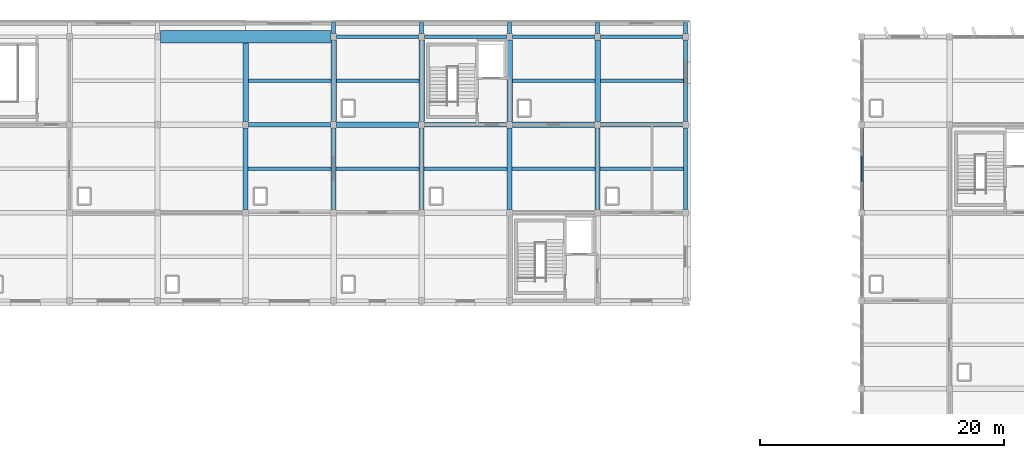
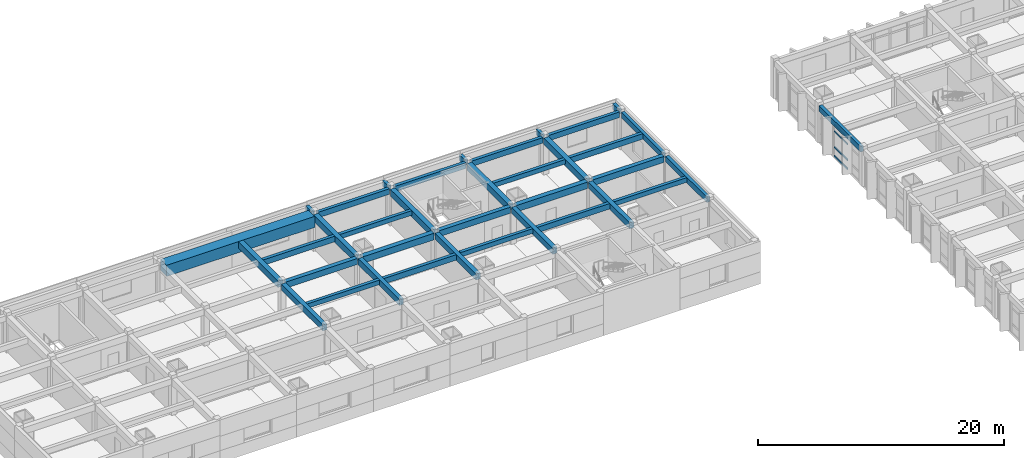
# One storey, part 16 of 40: 37 beams, 4 members, 1 element without a shape of its own.
"""IFC4 building model written with IfcOpenShell, lengths in metres."""

from ifc_helpers import new_model, si_unit, direction, frame, origin, origin_2d, place, context, subcontext, project, spatial, rectangle, extrude, material, layer, layer_set, material_profile, profile_set, type_object, element, aggregate, save


model = new_model("IFC4")

# Units and contexts
model_context = context("Model", 3, precision=1e-05, world=origin(), true_north=direction((0.0, 1.0)))
body_context = subcontext(model_context, "Body", "Model", "MODEL_VIEW")
ifc_project = project(units=[si_unit("LENGTHUNIT", "METRE"), si_unit("AREAUNIT", "SQUARE_METRE"), si_unit("VOLUMEUNIT", "CUBIC_METRE"), si_unit("PLANEANGLEUNIT", "RADIAN"), si_unit("MASSUNIT", "GRAM", prefix="KILO")], contexts=[model_context])

# Site, building, storey
site_placement = place(None, origin())
site = spatial("IfcSite", under=ifc_project, at=site_placement, CompositionType="ELEMENT")
building_placement = place(site_placement, origin())
building = spatial("IfcBuilding", under=site, at=building_placement, Name="Kavelor Marine Aquarium", CompositionType="ELEMENT")
storey_placement = place(building_placement, frame((0.0, 0.0, 17.639892578125)))
storey = spatial("IfcBuildingStorey", under=building, at=storey_placement, Name="L04", CompositionType="ELEMENT", Elevation=17.639892578125)

# Beams
ifc_material_1 = material(Name="Concrete C40/50", Category="concrete")
ifc_material_profile_1 = material_profile(ifc_material_1, rectangle(XDim=0.449951171875, YDim=0.64990234375, at=origin_2d()), Name="RC-BM 450x650")
ifc_profile_set_1 = profile_set([ifc_material_profile_1], Name="Concrete C40/50")
beam_type_1 = type_object("IfcBeamType", Name="BM-B3", PredefinedType="BEAM", material=ifc_profile_set_1)
for number, where, z_axis, x_axis, name in (
    (1, (75.449951171875, 103.60009765625, 3.315185546875), (1.0, 0.0, 0.0), (0.0, 1.0, 0.0), "bm:x:L04:L05:10_14"),
    (2, (89.85009765625, 103.60009765625, 3.355224609375), (1.0, 0.0, 0.0), (0.0, 1.0, 0.0), "bm:x:L04:L05:12_14"),
):
    element("IfcBeam", number, at=place(storey_placement, frame(where, z_axis=z_axis, x_axis=x_axis)), inside=storey, type_object=beam_type_1, Name=name, PredefinedType="BEAM", context=body_context, shape_type="SweptSolid", body=[
        extrude(rectangle(XDim=0.449951171875, YDim=0.64990234375, at=origin_2d()), origin(), (0.0, 0.0, 1.0), 6.699951171875),
    ])
beam_1_placement = place(storey_placement, frame((68.0, 103.85009765625, 3.315185546875), z_axis=(0.0, 1.0, 0.0), x_axis=(-1.0, 0.0, 0.0)))
element("IfcBeam", 3, at=beam_1_placement, inside=storey, type_object=beam_type_1, Name="bm:y:L04:L05:09_14", PredefinedType="BEAM", context=body_context, shape_type="SweptSolid", body=[
    extrude(rectangle(XDim=0.449951171875, YDim=0.64990234375, at=origin_2d()), origin(), (0.0, 0.0, 1.0), 6.449951171875),
])
for number, where, z_axis, x_axis, name in (
    (4, (75.199951171875, 103.85009765625, 3.315185546875), (0.0, 1.0, 0.0), (-1.0, 0.0, 0.0), "bm:y:L04:L05:10_14"),
    (5, (82.39990234375, 103.85009765625, 3.315185546875), (0.0, 1.0, 0.0), (-1.0, 0.0, 0.0), "bm:y:L04:L05:11_14"),
    (6, (89.60009765625, 103.85009765625, 3.355224609375), (0.0, 1.0, 0.0), (-1.0, 0.0, 0.0), "bm:y:L04:L05:12_14"),
    (7, (96.800048828125, 103.85009765625, 3.355224609375), (0.0, 1.0, 0.0), (-1.0, 0.0, 0.0), "bm:y:L04:L05:13_14"),
):
    element("IfcBeam", number, at=place(storey_placement, frame(where, z_axis=z_axis, x_axis=x_axis)), inside=storey, type_object=beam_type_1, Name=name, PredefinedType="BEAM", context=body_context, shape_type="SweptSolid", body=[
        extrude(rectangle(XDim=0.449951171875, YDim=0.64990234375, at=origin_2d()), origin(), (0.0, 0.0, 1.0), 6.699951171875),
    ])
ifc_material_2 = material(Name="Concrete C40/50", Category="concrete")
ifc_material_profile_2 = material_profile(ifc_material_2, rectangle(XDim=0.39990234375, YDim=0.60009765625, at=origin_2d()), Name="RC-BM 400x600")
ifc_profile_set_2 = profile_set([ifc_material_profile_2], Name="Concrete C40/50")
beam_type_2 = type_object("IfcBeamType", Name="BM-B4", PredefinedType="BEAM", material=ifc_profile_set_2)
beam_2_placement = place(storey_placement, frame((68.25, 103.60009765625, 3.340087890625), z_axis=(1.0, 0.0, 0.0), x_axis=(0.0, 1.0, 0.0)))
element("IfcBeam", 8, at=beam_2_placement, inside=storey, type_object=beam_type_2, Name="bm:x:L04:L05:09_14", PredefinedType="BEAM", context=body_context, shape_type="SweptSolid", body=[
    extrude(rectangle(XDim=0.39990234375, YDim=0.60009765625, at=origin_2d()), origin(), (0.0, 0.0, 1.0), 6.699951171875),
])
beam_3_placement = place(storey_placement, frame((82.64990234375, 103.60009765625, 3.400146484375), z_axis=(1.0, 0.0, 0.0), x_axis=(0.0, 1.0, 0.0)))
element("IfcBeam", 9, at=beam_3_placement, inside=storey, type_object=beam_type_2, Name="bm:x:L04:L05:11_14", PredefinedType="BEAM", context=body_context, shape_type="SweptSolid", body=[
    extrude(rectangle(XDim=0.39990234375, YDim=0.60009765625, at=origin_2d()), origin(), (0.0, 0.0, 1.0), 6.7001953125),
])
beam_4_placement = place(storey_placement, frame((97.050048828125, 103.60009765625, 3.400146484375), z_axis=(1.0, 0.0, 0.0), x_axis=(0.0, 1.0, 0.0)))
element("IfcBeam", 10, at=beam_4_placement, inside=storey, type_object=beam_type_2, Name="bm:x:L04:L05:13_14", PredefinedType="BEAM", context=body_context, shape_type="SweptSolid", body=[
    extrude(rectangle(XDim=0.39990234375, YDim=0.60009765625, at=origin_2d()), origin(), (0.0, 0.0, 1.0), 6.699951171875),
])
for number, where, z_axis, x_axis, name in (
    (11, (68.0, 96.64990234375, 3.340087890625), (0.0, 1.0, 0.0), (-1.0, 0.0, 0.0), "bm:y:L04:L05:09_13"),
    (12, (75.199951171875, 96.64990234375, 3.340087890625), (0.0, 1.0, 0.0), (-1.0, 0.0, 0.0), "bm:y:L04:L05:10_13"),
    (13, (82.39990234375, 96.64990234375, 3.340087890625), (0.0, 1.0, 0.0), (-1.0, 0.0, 0.0), "bm:y:L04:L05:11_13"),
    (14, (89.60009765625, 96.64990234375, 3.380126953125), (0.0, 1.0, 0.0), (-1.0, 0.0, 0.0), "bm:y:L04:L05:12_13"),
    (15, (96.800048828125, 96.64990234375, 3.380126953125), (0.0, 1.0, 0.0), (-1.0, 0.0, 0.0), "bm:y:L04:L05:13_13"),
):
    element("IfcBeam", number, at=place(storey_placement, frame(where, z_axis=z_axis, x_axis=x_axis)), inside=storey, type_object=beam_type_2, Name=name, PredefinedType="BEAM", context=body_context, shape_type="SweptSolid", body=[
        extrude(rectangle(XDim=0.39990234375, YDim=0.60009765625, at=origin_2d()), origin(), (0.0, 0.0, 1.0), 6.7001953125),
    ])
ifc_material_3 = material(Name="Concrete C40/50", Category="concrete")
ifc_material_profile_3 = material_profile(ifc_material_3, rectangle(XDim=0.300048828125, YDim=0.449951171875, at=origin_2d()), Name="RC-JS 300x450")
ifc_profile_set_3 = profile_set([ifc_material_profile_3], Name="Concrete C40/50")
beam_type_3 = type_object("IfcBeamType", Name="BM-JS1", PredefinedType="JOIST", material=ifc_profile_set_3)
beam_5_placement = place(storey_placement, frame((68.199951171875, 100.0, 3.4150390625), z_axis=(1.0, 0.0, 0.0), x_axis=(0.0, 1.0, 0.0)))
element("IfcBeam", 16, at=beam_5_placement, inside=storey, type_object=beam_type_3, Name="js:L04:L05:09_13", PredefinedType="JOIST", context=body_context, shape_type="SweptSolid", body=[
    extrude(rectangle(XDim=0.300048828125, YDim=0.449951171875, at=origin_2d()), origin(), (0.0, 0.0, 1.0), 6.800048828125),
])
beam_6_placement = place(storey_placement, frame((75.425048828125, 107.199951171875, 3.4150390625), z_axis=(1.0, 0.0, 0.0), x_axis=(0.0, 1.0, 0.0)))
element("IfcBeam", 17, at=beam_6_placement, inside=storey, type_object=beam_type_3, Name="js:L04:L05:10_14", PredefinedType="JOIST", context=body_context, shape_type="SweptSolid", body=[
    extrude(rectangle(XDim=0.300048828125, YDim=0.449951171875, at=origin_2d()), origin(), (0.0, 0.0, 1.0), 6.75),
])
beam_7_placement = place(storey_placement, frame((82.60009765625, 100.0, 3.47509765625), z_axis=(1.0, 0.0, 0.0), x_axis=(0.0, 1.0, 0.0)))
element("IfcBeam", 18, at=beam_7_placement, inside=storey, type_object=beam_type_3, Name="js:L04:L05:11_13", PredefinedType="JOIST", context=body_context, shape_type="SweptSolid", body=[
    extrude(rectangle(XDim=0.300048828125, YDim=0.449951171875, at=origin_2d()), origin(), (0.0, 0.0, 1.0), 6.7998046875),
])
beam_8_placement = place(storey_placement, frame((89.824951171875, 107.199951171875, 3.455078125), z_axis=(1.0, 0.0, 0.0), x_axis=(0.0, 1.0, 0.0)))
element("IfcBeam", 19, at=beam_8_placement, inside=storey, type_object=beam_type_3, Name="js:L04:L05:12_14", PredefinedType="JOIST", context=body_context, shape_type="SweptSolid", body=[
    extrude(rectangle(XDim=0.300048828125, YDim=0.449951171875, at=origin_2d()), origin(), (0.0, 0.0, 1.0), 6.75),
])
beam_9_placement = place(storey_placement, frame((97.0, 100.0, 3.47509765625), z_axis=(1.0, 0.0, 0.0), x_axis=(0.0, 1.0, 0.0)))
element("IfcBeam", 20, at=beam_9_placement, inside=storey, type_object=beam_type_3, Name="js:L04:L05:13_13", PredefinedType="JOIST", context=body_context, shape_type="SweptSolid", body=[
    extrude(rectangle(XDim=0.300048828125, YDim=0.449951171875, at=origin_2d()), origin(), (0.0, 0.0, 1.0), 6.85009765625),
])
ifc_material_4 = material(Name="Concrete C40/50", Category="concrete")
ifc_material_profile_4 = material_profile(ifc_material_4, rectangle(XDim=0.300048828125, YDim=0.550048828125, at=origin_2d()), Name="RC-JS 300x550")
ifc_profile_set_4 = profile_set([ifc_material_profile_4], Name="Concrete C40/50")
beam_type_4 = type_object("IfcBeamType", Name="BM-JS2", PredefinedType="JOIST", material=ifc_profile_set_4)
beam_10_placement = place(storey_placement, frame((68.22509765625, 107.199951171875, 3.364990234375), z_axis=(1.0, 0.0, 0.0), x_axis=(0.0, 1.0, 0.0)))
element("IfcBeam", 21, at=beam_10_placement, inside=storey, type_object=beam_type_4, Name="js:L04:L05:09_14", PredefinedType="JOIST", context=body_context, shape_type="SweptSolid", body=[
    extrude(rectangle(XDim=0.300048828125, YDim=0.550048828125, at=origin_2d()), origin(), (0.0, 0.0, 1.0), 6.75),
])
for number, where, z_axis, x_axis, name in (
    (22, (75.39990234375, 100.0, 3.364990234375), (1.0, 0.0, 0.0), (0.0, 1.0, 0.0), "js:L04:L05:10_13"),
    (23, (89.800048828125, 100.0, 3.405029296875), (1.0, 0.0, 0.0), (0.0, 1.0, 0.0), "js:L04:L05:12_13"),
):
    element("IfcBeam", number, at=place(storey_placement, frame(where, z_axis=z_axis, x_axis=x_axis)), inside=storey, type_object=beam_type_4, Name=name, PredefinedType="JOIST", context=body_context, shape_type="SweptSolid", body=[
        extrude(rectangle(XDim=0.300048828125, YDim=0.550048828125, at=origin_2d()), origin(), (0.0, 0.0, 1.0), 6.800048828125),
    ])
beam_11_placement = place(storey_placement, frame((97.02490234375, 107.199951171875, 3.425048828125), z_axis=(1.0, 0.0, 0.0), x_axis=(0.0, 1.0, 0.0)))
element("IfcBeam", 24, at=beam_11_placement, inside=storey, type_object=beam_type_4, Name="js:L04:L05:13_14", PredefinedType="JOIST", context=body_context, shape_type="SweptSolid", body=[
    extrude(rectangle(XDim=0.300048828125, YDim=0.550048828125, at=origin_2d()), origin(), (0.0, 0.0, 1.0), 6.8251953125),
])
ifc_material_5 = material(Name="Concrete C40/50", Category="concrete")
ifc_material_profile_5 = material_profile(ifc_material_5, rectangle(XDim=0.300048828125, YDim=0.550048828125, at=origin_2d()), Name="RC-SP 300x550")
ifc_profile_set_5 = profile_set([ifc_material_profile_5], Name="Concrete C40/50")
beam_type_5 = type_object("IfcBeamType", Name="BM-SP2", PredefinedType="SPANDREL", material=ifc_profile_set_5)
beam_12_placement = place(storey_placement, frame((75.449951171875, 110.800048828125, 3.364990234375), z_axis=(1.0, 0.0, 0.0), x_axis=(0.0, 1.0, 0.0)))
element("IfcBeam", 25, at=beam_12_placement, inside=storey, type_object=beam_type_5, Name="bm:x:L04:L05:10_15", PredefinedType="SPANDREL", context=body_context, shape_type="SweptSolid", body=[
    extrude(rectangle(XDim=0.300048828125, YDim=0.550048828125, at=origin_2d()), origin(), (0.0, 0.0, 1.0), 6.699951171875),
])
beam_13_placement = place(storey_placement, frame((82.64990234375, 110.800048828125, 3.425048828125), z_axis=(1.0, 0.0, 0.0), x_axis=(0.0, 1.0, 0.0)))
element("IfcBeam", 26, at=beam_13_placement, inside=storey, type_object=beam_type_5, Name="bm:x:L04:L05:11_15", PredefinedType="SPANDREL", context=body_context, shape_type="SweptSolid", body=[
    extrude(rectangle(XDim=0.300048828125, YDim=0.550048828125, at=origin_2d()), origin(), (0.0, 0.0, 1.0), 6.7001953125),
])
for number, where, z_axis, x_axis, name in (
    (27, (89.85009765625, 110.800048828125, 3.405029296875), (1.0, 0.0, 0.0), (0.0, 1.0, 0.0), "bm:x:L04:L05:12_15"),
    (28, (97.050048828125, 110.800048828125, 3.425048828125), (1.0, 0.0, 0.0), (0.0, 1.0, 0.0), "bm:x:L04:L05:13_15"),
):
    element("IfcBeam", number, at=place(storey_placement, frame(where, z_axis=z_axis, x_axis=x_axis)), inside=storey, type_object=beam_type_5, Name=name, PredefinedType="SPANDREL", context=body_context, shape_type="SweptSolid", body=[
        extrude(rectangle(XDim=0.300048828125, YDim=0.550048828125, at=origin_2d()), origin(), (0.0, 0.0, 1.0), 6.699951171875),
    ])
beam_14_placement = place(storey_placement, frame((104.0, 96.64990234375, 3.425048828125), z_axis=(0.0, 1.0, 0.0), x_axis=(-1.0, 0.0, 0.0)))
element("IfcBeam", 29, at=beam_14_placement, inside=storey, type_object=beam_type_5, Name="bm:y:L04:L05:14_13", PredefinedType="SPANDREL", context=body_context, shape_type="SweptSolid", body=[
    extrude(rectangle(XDim=0.300048828125, YDim=0.550048828125, at=origin_2d()), origin(), (0.0, 0.0, 1.0), 6.7001953125),
])
beam_15_placement = place(storey_placement, frame((104.0, 103.85009765625, 3.425048828125), z_axis=(0.0, 1.0, 0.0), x_axis=(-1.0, 0.0, 0.0)))
element("IfcBeam", 30, at=beam_15_placement, inside=storey, type_object=beam_type_5, Name="bm:y:L04:L05:14_14", PredefinedType="SPANDREL", context=body_context, shape_type="SweptSolid", body=[
    extrude(rectangle(XDim=0.300048828125, YDim=0.550048828125, at=origin_2d()), origin(), (0.0, 0.0, 1.0), 6.699951171875),
])
beam_16_placement = place(storey_placement, frame((118.39990234375, 96.64990234375, 3.405029296875), z_axis=(0.0, 1.0, 0.0), x_axis=(-1.0, 0.0, 0.0)))
element("IfcBeam", 31, at=beam_16_placement, inside=storey, type_object=beam_type_5, Name="bm:y:L04:L05:16_13", PredefinedType="SPANDREL", context=body_context, shape_type="SweptSolid", body=[
    extrude(rectangle(XDim=0.300048828125, YDim=0.550048828125, at=origin_2d()), origin(), (0.0, 0.0, 1.0), 6.7001953125),
])
for number, where, z_axis, x_axis, name in (
    (32, (75.199951171875, 111.050048828125, 3.364990234375), (0.0, 1.0, 0.0), (-1.0, 0.0, 0.0), "bm:out:n:L04:L05:10"),
    (33, (82.39990234375, 111.050048828125, 3.364990234375), (0.0, 1.0, 0.0), (-1.0, 0.0, 0.0), "bm:out:n:L04:L05:11"),
    (34, (89.60009765625, 111.050048828125, 3.405029296875), (0.0, 1.0, 0.0), (-1.0, 0.0, 0.0), "bm:out:n:L04:L05:12"),
    (35, (96.800048828125, 111.050048828125, 3.405029296875), (0.0, 1.0, 0.0), (-1.0, 0.0, 0.0), "bm:out:n:L04:L05:13"),
    (36, (104.0, 111.050048828125, 3.425048828125), (0.0, 1.0, 0.0), (-1.0, 0.0, 0.0), "bm:out:n:L04:L05:14"),
):
    element("IfcBeam", number, at=place(storey_placement, frame(where, z_axis=z_axis, x_axis=x_axis)), inside=storey, type_object=beam_type_5, Name=name, PredefinedType="SPANDREL", context=body_context, shape_type="SweptSolid", body=[
        extrude(rectangle(XDim=0.300048828125, YDim=0.550048828125, at=origin_2d()), origin(), (0.0, 0.0, 1.0), 0.909912109375),
    ])
ifc_material_6 = material(Name="Concrete C45/55", Category="concrete")
ifc_material_profile_6 = material_profile(ifc_material_6, rectangle(XDim=1.0, YDim=1.10009765625, at=origin_2d()), Name="RC-TG 1000x1100")
ifc_profile_set_6 = profile_set([ifc_material_profile_6], Name="Concrete C45/55")
beam_type_6 = type_object("IfcBeamType", Name="BM-TG1", PredefinedType="BEAM", material=ifc_profile_set_6)
beam_17_placement = place(storey_placement, frame((61.050048828125, 110.800048828125, 3.090087890625), z_axis=(1.0, 0.0, 0.0), x_axis=(0.0, 1.0, 0.0)))
element("IfcBeam", 37, at=beam_17_placement, inside=storey, type_object=beam_type_6, Name="bm:x:L04:L05:08_15_span", PredefinedType="BEAM", context=body_context, shape_type="SweptSolid", body=[
    extrude(rectangle(XDim=1.0, YDim=1.10009765625, at=origin_2d()), origin(), (0.0, 0.0, 1.0), 13.89990234375),
])

# Curtain wall, members
ifc_material_7 = material(Name="Thermally Broken Aluminium and Low-E Glass", Category="aluminium")
ifc_layer = layer(ifc_material_7, 0.31591796875)
ifc_layer_set = layer_set([ifc_layer], Name="CW-SYS22")
curtain_wall_type = type_object("IfcCurtainWallType", Name="CW-SYS22", PredefinedType="USERDEFINED", material=ifc_layer_set)
curtain_wall_placement = place(storey_placement, origin())
curtain_wall = element("IfcCurtainWall", 38, at=curtain_wall_placement, inside=storey, type_object=curtain_wall_type, Name="cw:y:L04:16_13", ObjectType="Curtain Wall", PredefinedType="USERDEFINED")
ifc_material_8 = material(Name="Anodised Aluminium Alloy 6063-T6", Category="aluminium")
ifc_material_profile_7 = material_profile(ifc_material_8, rectangle(XDim=0.0849609375, YDim=0.159912109375, at=origin_2d()), Name="CW-TRN 85x160")
ifc_profile_set_7 = profile_set([ifc_material_profile_7], Name="Anodised Aluminium Alloy 6063-T6")
member_type = type_object("IfcMemberType", Name="CWT-3", PredefinedType="USERDEFINED", material=ifc_profile_set_7)
member_1_placement = place(storey_placement, frame((118.39990234375, 101.064208984375, 0.030029296875), z_axis=(0.0, -1.0, 0.0), x_axis=(1.0, 0.0, 0.0)))
member_1 = element("IfcMember", 39, at=member_1_placement, type_object=member_type, Name="CW22 transom 2.1", ObjectType="TRANSOM", PredefinedType="USERDEFINED", context=body_context, shape_type="SweptSolid", body=[
    extrude(rectangle(XDim=0.0849609375, YDim=0.159912109375, at=origin_2d()), origin(), (0.0, 0.0, 1.0), 2.12841796875),
])
member_2_placement = place(storey_placement, frame((118.39990234375, 101.064208984375, 0.900146484375), z_axis=(0.0, -1.0, 0.0), x_axis=(1.0, 0.0, 0.0)))
member_2 = element("IfcMember", 40, at=member_2_placement, type_object=member_type, Name="CW22 transom 2.2", ObjectType="TRANSOM", PredefinedType="USERDEFINED", context=body_context, shape_type="SweptSolid", body=[
    extrude(rectangle(XDim=0.0849609375, YDim=0.159912109375, at=origin_2d()), origin(), (0.0, 0.0, 1.0), 2.12841796875),
])
member_3_placement = place(storey_placement, frame((118.39990234375, 101.064208984375, 2.47021484375), z_axis=(0.0, -1.0, 0.0), x_axis=(1.0, 0.0, 0.0)))
member_3 = element("IfcMember", 41, at=member_3_placement, type_object=member_type, Name="CW22 transom 2.3", ObjectType="TRANSOM", PredefinedType="USERDEFINED", context=body_context, shape_type="SweptSolid", body=[
    extrude(rectangle(XDim=0.0849609375, YDim=0.159912109375, at=origin_2d()), origin(), (0.0, 0.0, 1.0), 2.12841796875),
])
member_4_placement = place(storey_placement, frame((118.39990234375, 101.064208984375, 3.090087890625), z_axis=(0.0, -1.0, 0.0), x_axis=(1.0, 0.0, 0.0)))
member_4 = element("IfcMember", 42, at=member_4_placement, type_object=member_type, Name="CW22 transom 2.4", ObjectType="TRANSOM", PredefinedType="USERDEFINED", context=body_context, shape_type="SweptSolid", body=[
    extrude(rectangle(XDim=0.0849609375, YDim=0.159912109375, at=origin_2d()), origin(), (0.0, 0.0, 1.0), 2.12841796875),
])
aggregate(curtain_wall, [member_1, member_2, member_3, member_4])

save(model, "model.ifc")
